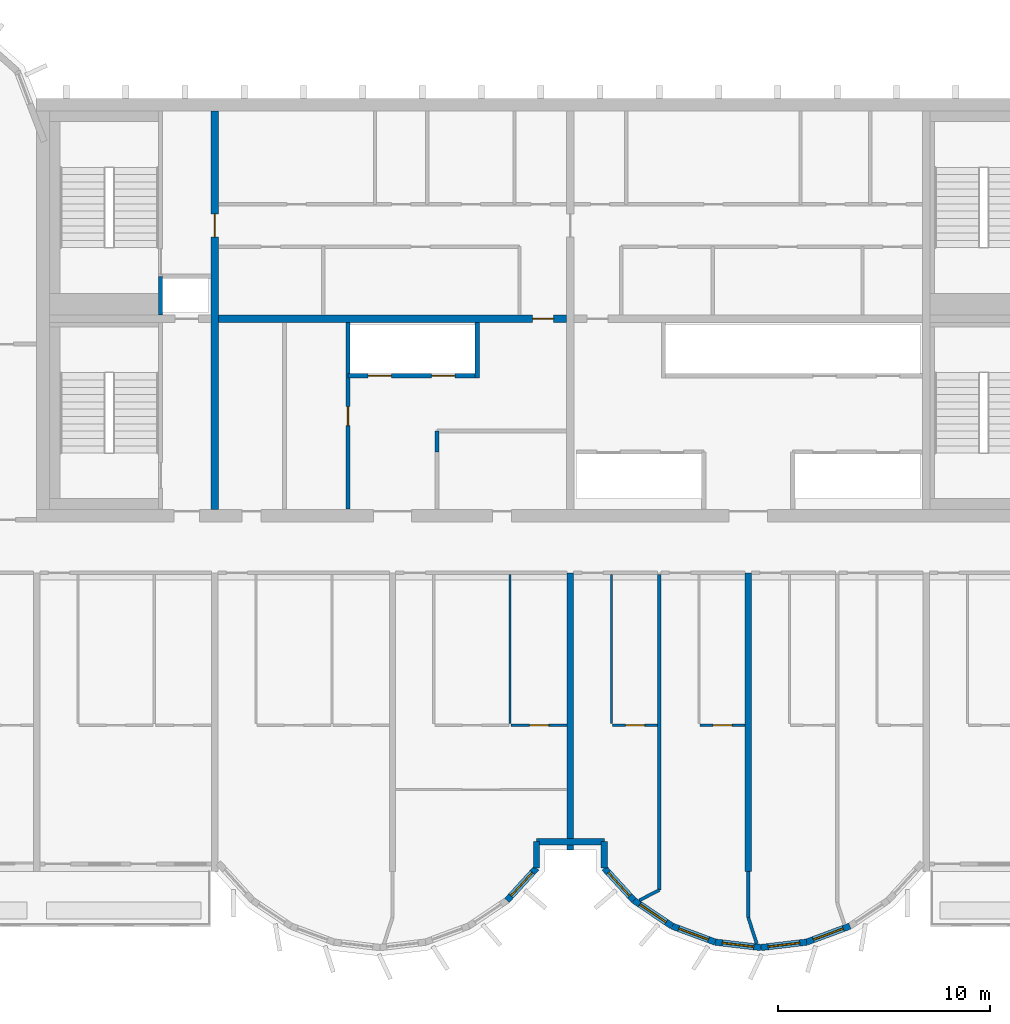
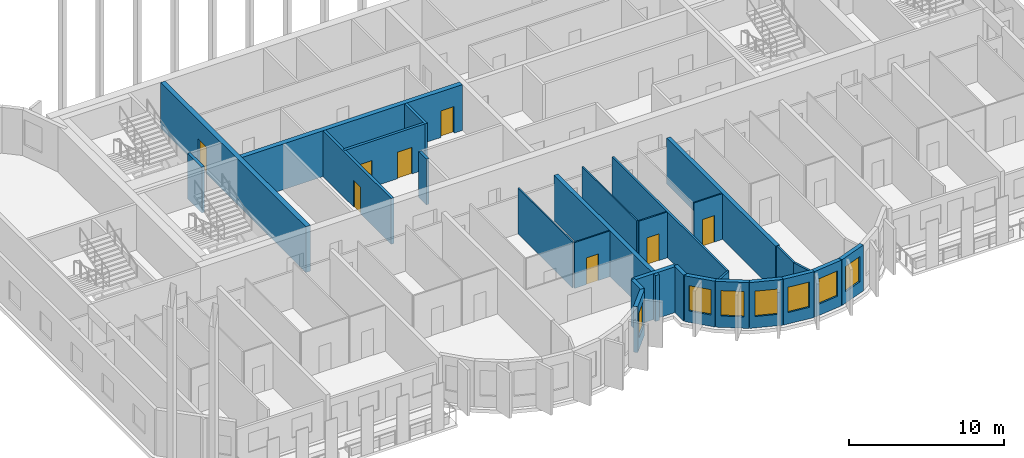
# One storey, part 4 of 13: 28 walls, 8 doors, 7 windows, 15 openings.
"""IFC4 building model written with IfcOpenShell, lengths in metres."""

from ifc_helpers import new_model, si_unit, direction, frame, frame_2d, origin, place, context, subcontext, project, spatial, rectangle, extrude, source, transform, mapped, material, layer, layer_set, type_object, element, fill, save


model = new_model("IFC4")

# Units and contexts
model_context = context("Model", 3, precision=1e-05, world=origin(), true_north=direction((0.0, 1.0)))
body_context = subcontext(model_context, "Body", "Model", "MODEL_VIEW")
ifc_project = project(units=[si_unit("LENGTHUNIT", "METRE"), si_unit("AREAUNIT", "SQUARE_METRE"), si_unit("VOLUMEUNIT", "CUBIC_METRE"), si_unit("PLANEANGLEUNIT", "RADIAN"), si_unit("MASSUNIT", "GRAM", prefix="KILO")], contexts=[model_context])

# Site, building, storey
site_placement = place(None, origin())
site = spatial("IfcSite", under=ifc_project, at=site_placement, CompositionType="ELEMENT")
building_placement = place(site_placement, origin())
building = spatial("IfcBuilding", under=site, at=building_placement, Name="Vanashikhar Sky Hotel", CompositionType="ELEMENT")
storey_placement = place(building_placement, frame((0.0, 0.0, 214.0)))
storey = spatial("IfcBuildingStorey", under=building, at=storey_placement, Name="L51", CompositionType="ELEMENT", Elevation=214.0)

# Wall, opening, door
ifc_material_1 = material(Name="Concrete M60", Category="concrete")
ifc_layer_1 = layer(ifc_material_1, 0.35009765625)
ifc_layer_set_1 = layer_set([ifc_layer_1], Name="RC core inner wall 350 Concrete M60")
wall_type_1 = type_object("IfcWallType", Name="RC core inner wall 350 Concrete M60", PredefinedType="SHEAR", material=ifc_layer_set_1)
shared_shape_1 = source(origin(), body_context, "Body", "SweptSolid", [
    extrude(rectangle(XDim=18.7998046875, YDim=0.35009765625, at=frame_2d((9.39990234375, 0.0))), origin(), (0.0, 0.0, 1.0), 3.6201171875),
])
wall_1_placement = place(storey_placement, frame((33.60009765625, 22.60009765625, 0.0), z_axis=(0.0, 0.0, 1.0), x_axis=(0.0, 1.0, 0.0)))
wall_1 = element("IfcWall", 1, at=wall_1_placement, inside=storey, type_object=wall_type_1, Name="KW-L51-KX1", PredefinedType="SHEAR", context=body_context, shape_type="MappedRepresentation", body=[
    mapped(shared_shape_1, transform((0.0, 0.0, 0.0), scale=1.0)),
])
shared_shape_2 = source(origin(), body_context, "Body", "SweptSolid", [
    extrude(rectangle(XDim=1.10009765625, YDim=2.10009765625, at=frame_2d((0.550048828125, 1.050048828125))), frame((0.0, 0.18505859375, 0.0), z_axis=(0.0, -1.0, 0.0), x_axis=(1.0, 0.0, 0.0)), (0.0, 0.0, 1.0), 0.3701171875),
])
opening_1_placement = place(wall_1_placement, frame((12.85009765625, 0.0, 0.0)))
opening_1 = element("IfcOpeningElement", 2, at=opening_1_placement, cuts=wall_1, Name="Opening DC-4-C", PredefinedType="OPENING", context=body_context, shape_type="MappedRepresentation", body=[
    mapped(shared_shape_2, transform((0.0, 0.0, 0.0), scale=1.0)),
])
ifc_material_2 = material(Name="Steel", Category="steel")
door_type_1 = type_object("IfcDoorType", Name="Service door 1100 FD60", OperationType="NOTDEFINED", PredefinedType="DOOR", material=ifc_material_2)
shared_shape_3 = source(origin(), body_context, "Body", "SweptSolid", [
    extrude(rectangle(XDim=1.10009765625, YDim=2.10009765625, at=frame_2d((0.550048828125, 1.050048828125))), frame((0.0, 0.02490234375, 0.0), z_axis=(0.0, -1.0, 0.0), x_axis=(1.0, 0.0, 0.0)), (0.0, 0.0, 1.0), 0.050048828125),
])
door_1_placement = place(opening_1_placement, origin())
door_1 = element("IfcDoor", 3, at=door_1_placement, inside=storey, type_object=door_type_1, Name="Service door 1100 FD60", OperationType="SINGLE_SWING_RIGHT", OverallHeight=2.10009765625, OverallWidth=1.10009765625, PredefinedType="DOOR", context=body_context, shape_type="MappedRepresentation", body=[
    mapped(shared_shape_3, transform((0.0, 0.0, 0.0), scale=1.0)),
])
fill(opening_1, door_1)

shared_shape_4 = source(origin(), body_context, "Body", "SweptSolid", [
    extrude(rectangle(XDim=16.4501953125, YDim=0.35009765625, at=frame_2d((8.22509765625, 0.0))), origin(), (0.0, 0.0, 1.0), 3.6201171875),
])
wall_2_placement = place(storey_placement, frame((33.77490234375, 31.60009765625, 0.0), z_axis=(0.0, 0.0, 1.0), x_axis=(1.0, 0.0, 0.0)))
wall_2 = element("IfcWall", 4, at=wall_2_placement, inside=storey, type_object=wall_type_1, Name="KW-L51-KY2", PredefinedType="SHEAR", context=body_context, shape_type="MappedRepresentation", body=[
    mapped(shared_shape_4, transform((0.0, 0.0, 0.0), scale=1.0)),
])
shared_shape_5 = source(origin(), body_context, "Body", "SweptSolid", [
    extrude(rectangle(XDim=1.0, YDim=2.10009765625, at=frame_2d((0.5, 1.050048828125))), frame((0.0, 0.18505859375, 0.0), z_axis=(0.0, -1.0, 0.0), x_axis=(1.0, 0.0, 0.0)), (0.0, 0.0, 1.0), 0.3701171875),
])
opening_2_placement = place(wall_2_placement, frame((14.8369140625, 0.0, 0.0)))
opening_2 = element("IfcOpeningElement", 5, at=opening_2_placement, cuts=wall_2, Name="Opening DC-4", PredefinedType="OPENING", context=body_context, shape_type="MappedRepresentation", body=[
    mapped(shared_shape_5, transform((0.0, 0.0, 0.0), scale=1.0)),
])
door_type_2 = type_object("IfcDoorType", Name="Service door 1000 FD60", OperationType="NOTDEFINED", PredefinedType="DOOR", material=ifc_material_2)
shared_shape_6 = source(origin(), body_context, "Body", "SweptSolid", [
    extrude(rectangle(XDim=1.0, YDim=2.10009765625, at=frame_2d((0.5, 1.050048828125))), frame((0.0, 0.02490234375, 0.0), z_axis=(0.0, -1.0, 0.0), x_axis=(1.0, 0.0, 0.0)), (0.0, 0.0, 1.0), 0.050048828125),
])
door_2_placement = place(opening_2_placement, origin())
door_2 = element("IfcDoor", 6, at=door_2_placement, inside=storey, type_object=door_type_2, Name="Service door 1000 FD60", OperationType="SINGLE_SWING_LEFT", OverallHeight=2.10009765625, OverallWidth=1.0, PredefinedType="DOOR", context=body_context, shape_type="MappedRepresentation", body=[
    mapped(shared_shape_6, transform((0.0, 0.0, 0.0), scale=1.0)),
])
fill(opening_2, door_2)

# Walls
ifc_layer_2 = layer(ifc_material_1, 0.300048828125)
ifc_layer_set_2 = layer_set([ifc_layer_2], Name="RC shear wall 300 Concrete M60")
wall_type_2 = type_object("IfcWallType", Name="RC shear wall 300 Concrete M60", PredefinedType="SHEAR", material=ifc_layer_set_2)
shared_shape_7 = source(origin(), body_context, "Body", "SweptSolid", [
    extrude(rectangle(XDim=14.10009765625, YDim=0.300048828125, at=frame_2d((7.050048828125, 0.0))), origin(), (0.0, 0.0, 1.0), 3.6201171875),
])
wall_3_placement = place(storey_placement, frame((58.800048828125, 5.5, 0.0), z_axis=(0.0, 0.0, 1.0), x_axis=(0.0, 1.0, 0.0)))
element("IfcWall", 7, at=wall_3_placement, inside=storey, type_object=wall_type_2, Name="CW-L51-XW08-1", PredefinedType="SHEAR", context=body_context, shape_type="MappedRepresentation", body=[
    mapped(shared_shape_7, transform((0.0, 0.0, 0.0), scale=1.0)),
])
shared_shape_8 = source(origin(), body_context, "Body", "SweptSolid", [
    extrude(rectangle(XDim=13.10009765625, YDim=0.300048828125, at=frame_2d((6.550048828125, 0.0))), origin(), (0.0, 0.0, 1.0), 3.6201171875),
])
wall_4_placement = place(storey_placement, frame((50.39990234375, 6.5, 0.0), z_axis=(0.0, 0.0, 1.0), x_axis=(0.0, 1.0, 0.0)))
element("IfcWall", 8, at=wall_4_placement, inside=storey, type_object=wall_type_2, Name="CW-L51-XW07-1", PredefinedType="SHEAR", context=body_context, shape_type="MappedRepresentation", body=[
    mapped(shared_shape_8, transform((0.0, 0.0, 0.0), scale=1.0)),
])

# Wall, opening, window
ifc_material_3 = material(Name="Concrete M50", Category="concrete")
ifc_layer_3 = layer(ifc_material_3, 0.300048828125)
ifc_layer_set_3 = layer_set([ifc_layer_3], Name="Lobe wall 300")
wall_type_3 = type_object("IfcWallType", Name="Lobe wall 300", PredefinedType="SOLIDWALL", material=ifc_layer_set_3)
shared_shape_9 = source(origin(), body_context, "Body", "SweptSolid", [
    extrude(rectangle(XDim=2.17578125, YDim=0.300048828125, at=frame_2d((1.087890625, 0.0))), origin(), (0.0, 0.0, 1.0), 3.6201171875),
])
wall_5_placement = place(storey_placement, frame((53.395751953125, 4.13134765625, 0.0), z_axis=(0.0, 0.0, 1.0), x_axis=(0.829590746428, -0.558371913192, 0.0)))
wall_5 = element("IfcWall", 9, at=wall_5_placement, inside=storey, type_object=wall_type_3, Name="Lobe wall", PredefinedType="SOLIDWALL", context=body_context, shape_type="MappedRepresentation", body=[
    mapped(shared_shape_9, transform((0.0, 0.0, 0.0), scale=1.0)),
])
shared_shape_10 = source(origin(), body_context, "Body", "SweptSolid", [
    extrude(rectangle(XDim=1.5, YDim=2.0, at=frame_2d((0.75, 1.0))), frame((0.0, 0.16015625, 0.0), z_axis=(0.0, -1.0, 0.0), x_axis=(1.0, 0.0, 0.0)), (0.0, 0.0, 1.0), 0.320068359375),
])
opening_3_placement = place(wall_5_placement, frame((0.337890625, 0.0, 0.89990234375)))
opening_3 = element("IfcOpeningElement", 10, at=opening_3_placement, cuts=wall_5, Name="Opening WN-2", PredefinedType="OPENING", context=body_context, shape_type="MappedRepresentation", body=[
    mapped(shared_shape_10, transform((0.0, 0.0, 0.0), scale=1.0)),
])
ifc_material_4 = material(Name="Glass", Category="glass")
window_type = type_object("IfcWindowType", Name="Lobe window 1500 x 2000", PartitioningType="SINGLE_PANEL", PredefinedType="WINDOW", material=ifc_material_4)
shared_shape_11 = source(origin(), body_context, "Body", "SweptSolid", [
    extrude(rectangle(XDim=1.5, YDim=2.0, at=frame_2d((0.75, 1.0))), frame((0.0, 0.030029296875, 0.0), z_axis=(0.0, -1.0, 0.0), x_axis=(1.0, 0.0, 0.0)), (0.0, 0.0, 1.0), 0.06005859375),
])
window_1_placement = place(opening_3_placement, origin())
window_1 = element("IfcWindow", 11, at=window_1_placement, inside=storey, type_object=window_type, Name="Window WN-2", OverallHeight=2.0, OverallWidth=1.5, PartitioningType="SINGLE_PANEL", PredefinedType="WINDOW", context=body_context, shape_type="MappedRepresentation", body=[
    mapped(shared_shape_11, transform((0.0, 0.0, 0.0), scale=1.0)),
])
fill(opening_3, window_1)

wall_6_placement = place(storey_placement, frame((55.20068359375, 2.91650390625, 0.0), z_axis=(0.0, 0.0, 1.0), x_axis=(0.93754555999, -0.347862505801, 0.0)))
wall_6 = element("IfcWall", 12, at=wall_6_placement, inside=storey, type_object=wall_type_3, Name="Lobe wall", PredefinedType="SOLIDWALL", context=body_context, shape_type="MappedRepresentation", body=[
    mapped(shared_shape_9, transform((0.0, 0.0, 0.0), scale=1.0)),
])
opening_4_placement = place(wall_6_placement, frame((0.337890625, 0.0, 0.89990234375)))
opening_4 = element("IfcOpeningElement", 13, at=opening_4_placement, cuts=wall_6, Name="Opening WN-2", PredefinedType="OPENING", context=body_context, shape_type="MappedRepresentation", body=[
    mapped(shared_shape_10, transform((0.0, 0.0, 0.0), scale=1.0)),
])
window_2_placement = place(opening_4_placement, origin())
window_2 = element("IfcWindow", 14, at=window_2_placement, inside=storey, type_object=window_type, Name="Window WN-2", OverallHeight=2.0, OverallWidth=1.5, PartitioningType="SINGLE_PANEL", PredefinedType="WINDOW", context=body_context, shape_type="MappedRepresentation", body=[
    mapped(shared_shape_11, transform((0.0, 0.0, 0.0), scale=1.0)),
])
fill(opening_4, window_2)

shared_shape_12 = source(origin(), body_context, "Body", "SweptSolid", [
    extrude(rectangle(XDim=2.174560546875, YDim=0.300048828125, at=frame_2d((1.08740234375, 0.0))), origin(), (0.0, 0.0, 1.0), 3.6201171875),
])
wall_7_placement = place(storey_placement, frame((57.240478515625, 2.15966796875, 0.0), z_axis=(0.0, 0.0, 1.0), x_axis=(0.993001132889, -0.118104826659, 0.0)))
wall_7 = element("IfcWall", 15, at=wall_7_placement, inside=storey, type_object=wall_type_3, Name="Lobe wall", PredefinedType="SOLIDWALL", context=body_context, shape_type="MappedRepresentation", body=[
    mapped(shared_shape_12, transform((0.0, 0.0, 0.0), scale=1.0)),
])
opening_5_placement = place(wall_7_placement, frame((0.33740234375, 0.0, 0.89990234375)))
opening_5 = element("IfcOpeningElement", 16, at=opening_5_placement, cuts=wall_7, Name="Opening WN-2", PredefinedType="OPENING", context=body_context, shape_type="MappedRepresentation", body=[
    mapped(shared_shape_10, transform((0.0, 0.0, 0.0), scale=1.0)),
])
window_3_placement = place(opening_5_placement, origin())
window_3 = element("IfcWindow", 17, at=window_3_placement, inside=storey, type_object=window_type, Name="Window WN-2", OverallHeight=2.0, OverallWidth=1.5, PartitioningType="SINGLE_PANEL", PredefinedType="WINDOW", context=body_context, shape_type="MappedRepresentation", body=[
    mapped(shared_shape_11, transform((0.0, 0.0, 0.0), scale=1.0)),
])
fill(opening_5, window_3)

shared_shape_13 = source(origin(), body_context, "Body", "SweptSolid", [
    extrude(rectangle(XDim=2.1748046875, YDim=0.300048828125, at=frame_2d((1.08740234375, 0.0))), origin(), (0.0, 0.0, 1.0), 3.6201171875),
])
wall_8_placement = place(storey_placement, frame((59.39990234375, 1.90283203125, 0.0), z_axis=(0.0, 0.0, 1.0), x_axis=(0.993002698611, 0.118091661648, 0.0)))
wall_8 = element("IfcWall", 18, at=wall_8_placement, inside=storey, type_object=wall_type_3, Name="Lobe wall", PredefinedType="SOLIDWALL", context=body_context, shape_type="MappedRepresentation", body=[
    mapped(shared_shape_13, transform((0.0, 0.0, 0.0), scale=1.0)),
])
opening_6_placement = place(wall_8_placement, frame((0.33740234375, 0.0, 0.89990234375)))
opening_6 = element("IfcOpeningElement", 19, at=opening_6_placement, cuts=wall_8, Name="Opening WN-2", PredefinedType="OPENING", context=body_context, shape_type="MappedRepresentation", body=[
    mapped(shared_shape_10, transform((0.0, 0.0, 0.0), scale=1.0)),
])
window_4_placement = place(opening_6_placement, origin())
window_4 = element("IfcWindow", 20, at=window_4_placement, inside=storey, type_object=window_type, Name="Window WN-2", OverallHeight=2.0, OverallWidth=1.5, PartitioningType="SINGLE_PANEL", PredefinedType="WINDOW", context=body_context, shape_type="MappedRepresentation", body=[
    mapped(shared_shape_11, transform((0.0, 0.0, 0.0), scale=1.0)),
])
fill(opening_6, window_4)

shared_shape_14 = source(origin(), body_context, "Body", "SweptSolid", [
    extrude(rectangle(XDim=2.175537109375, YDim=0.300048828125, at=frame_2d((1.087890625, 0.0))), origin(), (0.0, 0.0, 1.0), 3.6201171875),
])
wall_9_placement = place(storey_placement, frame((61.5595703125, 2.15966796875, 0.0), z_axis=(0.0, 0.0, 1.0), x_axis=(0.937531979054, 0.347899106424, 0.0)))
wall_9 = element("IfcWall", 21, at=wall_9_placement, inside=storey, type_object=wall_type_3, Name="Lobe wall", PredefinedType="SOLIDWALL", context=body_context, shape_type="MappedRepresentation", body=[
    mapped(shared_shape_14, transform((0.0, 0.0, 0.0), scale=1.0)),
])
opening_7_placement = place(wall_9_placement, frame((0.337890625, 0.0, 0.89990234375)))
opening_7 = element("IfcOpeningElement", 22, at=opening_7_placement, cuts=wall_9, Name="Opening WN-2", PredefinedType="OPENING", context=body_context, shape_type="MappedRepresentation", body=[
    mapped(shared_shape_10, transform((0.0, 0.0, 0.0), scale=1.0)),
])
window_5_placement = place(opening_7_placement, origin())
window_5 = element("IfcWindow", 23, at=window_5_placement, inside=storey, type_object=window_type, Name="Window WN-2", OverallHeight=2.0, OverallWidth=1.5, PartitioningType="SINGLE_PANEL", PredefinedType="WINDOW", context=body_context, shape_type="MappedRepresentation", body=[
    mapped(shared_shape_11, transform((0.0, 0.0, 0.0), scale=1.0)),
])
fill(opening_7, window_5)

shared_shape_15 = source(origin(), body_context, "Body", "SweptSolid", [
    extrude(rectangle(XDim=2.066650390625, YDim=0.300048828125, at=frame_2d((1.033203125, 0.0))), origin(), (0.0, 0.0, 1.0), 3.6201171875),
])
wall_10_placement = place(storey_placement, frame((47.404296875, 4.13134765625, 0.0), z_axis=(0.0, 0.0, 1.0), x_axis=(0.675355439877, 0.737492393065, 0.0)))
wall_10 = element("IfcWall", 24, at=wall_10_placement, inside=storey, type_object=wall_type_3, Name="Lobe wall", PredefinedType="SOLIDWALL", context=body_context, shape_type="MappedRepresentation", body=[
    mapped(shared_shape_15, transform((0.0, 0.0, 0.0), scale=1.0)),
])
opening_8_placement = place(wall_10_placement, frame((0.283447265625, 0.0, 0.89990234375)))
opening_8 = element("IfcOpeningElement", 25, at=opening_8_placement, cuts=wall_10, Name="Opening WN-2", PredefinedType="OPENING", context=body_context, shape_type="MappedRepresentation", body=[
    mapped(shared_shape_10, transform((0.0, 0.0, 0.0), scale=1.0)),
])
window_6_placement = place(opening_8_placement, origin())
window_6 = element("IfcWindow", 26, at=window_6_placement, inside=storey, type_object=window_type, Name="Window WN-2", OverallHeight=2.0, OverallWidth=1.5, PartitioningType="SINGLE_PANEL", PredefinedType="WINDOW", context=body_context, shape_type="MappedRepresentation", body=[
    mapped(shared_shape_11, transform((0.0, 0.0, 0.0), scale=1.0)),
])
fill(opening_8, window_6)

wall_11_placement = place(storey_placement, frame((52.0, 5.655517578125, 0.0), z_axis=(0.0, 0.0, 1.0), x_axis=(0.675355439877, -0.737492393065, 0.0)))
wall_11 = element("IfcWall", 27, at=wall_11_placement, inside=storey, type_object=wall_type_3, Name="Lobe wall", PredefinedType="SOLIDWALL", context=body_context, shape_type="MappedRepresentation", body=[
    mapped(shared_shape_15, transform((0.0, 0.0, 0.0), scale=1.0)),
])
opening_9_placement = place(wall_11_placement, frame((0.283447265625, 0.0, 0.89990234375)))
opening_9 = element("IfcOpeningElement", 28, at=opening_9_placement, cuts=wall_11, Name="Opening WN-2", PredefinedType="OPENING", context=body_context, shape_type="MappedRepresentation", body=[
    mapped(shared_shape_10, transform((0.0, 0.0, 0.0), scale=1.0)),
])
window_7_placement = place(opening_9_placement, origin())
window_7 = element("IfcWindow", 29, at=window_7_placement, inside=storey, type_object=window_type, Name="Window WN-2", OverallHeight=2.0, OverallWidth=1.5, PartitioningType="SINGLE_PANEL", PredefinedType="WINDOW", context=body_context, shape_type="MappedRepresentation", body=[
    mapped(shared_shape_11, transform((0.0, 0.0, 0.0), scale=1.0)),
])
fill(opening_9, window_7)

# Walls
shared_shape_16 = source(origin(), body_context, "Body", "SweptSolid", [
    extrude(rectangle(XDim=1.244384765625, YDim=0.300048828125, at=frame_2d((0.6220703125, 0.0))), origin(), (0.0, 0.0, 1.0), 3.6201171875),
])
for number, where, z_axis, x_axis, name in (
    (30, (48.800048828125, 5.655517578125, 0.0), (0.0, 0.0, 1.0), (0.0, 1.0, 0.0), "Groove wall"),
    (31, (52.0, 6.89990234375, 0.0), (0.0, 0.0, 1.0), (0.0, -1.0, 0.0), "Groove wall"),
):
    element("IfcWall", number, at=place(storey_placement, frame(where, z_axis=z_axis, x_axis=x_axis)), inside=storey, type_object=wall_type_3, Name=name, PredefinedType="SOLIDWALL", context=body_context, shape_type="MappedRepresentation", body=[
        mapped(shared_shape_16, transform((0.0, 0.0, 0.0), scale=1.0)),
    ])
shared_shape_17 = source(origin(), body_context, "Body", "SweptSolid", [
    extrude(rectangle(XDim=3.199951171875, YDim=0.300048828125, at=frame_2d((1.60009765625, 0.0))), origin(), (0.0, 0.0, 1.0), 3.6201171875),
])
wall_12_placement = place(storey_placement, frame((48.800048828125, 6.89990234375, 0.0), z_axis=(0.0, 0.0, 1.0), x_axis=(1.0, 0.0, 0.0)))
element("IfcWall", 32, at=wall_12_placement, inside=storey, type_object=wall_type_3, Name="Groove wall", PredefinedType="SOLIDWALL", context=body_context, shape_type="MappedRepresentation", body=[
    mapped(shared_shape_17, transform((0.0, 0.0, 0.0), scale=1.0)),
])

# Wall, openings, doors
ifc_material_5 = material(Name="Concrete M40", Category="concrete")
ifc_layer_4 = layer(ifc_material_5, 0.199951171875)
ifc_layer_set_4 = layer_set([ifc_layer_4], Name="Shaft wall 200")
wall_type_4 = type_object("IfcWallType", Name="Shaft wall 200", PredefinedType="SOLIDWALL", material=ifc_layer_set_4)
shared_shape_18 = source(origin(), body_context, "Body", "SweptSolid", [
    extrude(rectangle(XDim=6.0, YDim=0.199951171875, at=frame_2d((3.0, 0.0))), origin(), (0.0, 0.0, 1.0), 3.6201171875),
])
wall_13_placement = place(storey_placement, frame((39.89990234375, 28.89990234375, 0.0), z_axis=(0.0, 0.0, 1.0), x_axis=(1.0, 0.0, 0.0)))
wall_13 = element("IfcWall", 33, at=wall_13_placement, inside=storey, type_object=wall_type_4, Name="Shaft wall 200", PredefinedType="SOLIDWALL", context=body_context, shape_type="MappedRepresentation", body=[
    mapped(shared_shape_18, transform((0.0, 0.0, 0.0), scale=1.0)),
])
shared_shape_19 = source(origin(), body_context, "Body", "SweptSolid", [
    extrude(rectangle(XDim=1.10009765625, YDim=2.10009765625, at=frame_2d((0.550048828125, 1.050048828125))), frame((0.0, 0.10986328125, 0.0), z_axis=(0.0, -1.0, 0.0), x_axis=(1.0, 0.0, 0.0)), (0.0, 0.0, 1.0), 0.219970703125),
])
opening_10_placement = place(wall_13_placement, frame((0.949951171875, 0.0, 0.0)))
opening_10 = element("IfcOpeningElement", 34, at=opening_10_placement, cuts=wall_13, Name="Opening LD", PredefinedType="OPENING", context=body_context, shape_type="MappedRepresentation", body=[
    mapped(shared_shape_19, transform((0.0, 0.0, 0.0), scale=1.0)),
])
opening_11_placement = place(wall_13_placement, frame((3.949951171875, 0.0, 0.0)))
opening_11 = element("IfcOpeningElement", 35, at=opening_11_placement, cuts=wall_13, Name="Opening LD", PredefinedType="OPENING", context=body_context, shape_type="MappedRepresentation", body=[
    mapped(shared_shape_19, transform((0.0, 0.0, 0.0), scale=1.0)),
])
ifc_material_6 = material(Name="Stainless steel", Category="steel")
door_type_3 = type_object("IfcDoorType", Name="Lift landing door 1100", OperationType="NOTDEFINED", PredefinedType="DOOR", material=ifc_material_6)
door_3_placement = place(opening_10_placement, origin())
door_3 = element("IfcDoor", 36, at=door_3_placement, inside=storey, type_object=door_type_3, Name="Lift landing door 1100", OperationType="SLIDING_TO_LEFT", OverallHeight=2.10009765625, OverallWidth=1.10009765625, PredefinedType="DOOR", context=body_context, shape_type="MappedRepresentation", body=[
    mapped(shared_shape_3, transform((0.0, 0.0, 0.0), scale=1.0)),
])
fill(opening_10, door_3)
door_4_placement = place(opening_11_placement, origin())
door_4 = element("IfcDoor", 37, at=door_4_placement, inside=storey, type_object=door_type_3, Name="Lift landing door 1100", OperationType="SLIDING_TO_RIGHT", OverallHeight=2.10009765625, OverallWidth=1.10009765625, PredefinedType="DOOR", context=body_context, shape_type="MappedRepresentation", body=[
    mapped(shared_shape_3, transform((0.0, 0.0, 0.0), scale=1.0)),
])
fill(opening_11, door_4)

# Wall, opening, door
ifc_material_7 = material(Name="Gypsum board partition")
ifc_layer_5 = layer(ifc_material_7, 0.14990234375)
ifc_layer_set_5 = layer_set([ifc_layer_5], Name="Service partition 150")
wall_type_5 = type_object("IfcWallType", Name="Service partition 150", PredefinedType="PARTITIONING", material=ifc_layer_set_5)
shared_shape_20 = source(origin(), body_context, "Body", "SweptSolid", [
    extrude(rectangle(XDim=8.824951171875, YDim=0.199951171875, at=frame_2d((4.41259765625, 0.0))), origin(), (0.0, 0.0, 1.0), 3.6201171875),
])
wall_14_placement = place(storey_placement, frame((39.89990234375, 22.60009765625, 0.0), z_axis=(0.0, 0.0, 1.0), x_axis=(0.0, 1.0, 0.0)))
wall_14 = element("IfcWall", 38, at=wall_14_placement, inside=storey, type_object=wall_type_5, Name="Service partition 150", PredefinedType="PARTITIONING", context=body_context, shape_type="MappedRepresentation", body=[
    mapped(shared_shape_20, transform((0.0, 0.0, 0.0), scale=1.0)),
])
shared_shape_21 = source(origin(), body_context, "Body", "SweptSolid", [
    extrude(rectangle(XDim=0.89990234375, YDim=2.10009765625, at=frame_2d((0.449951171875, 1.050048828125))), frame((0.0, 0.10986328125, 0.0), z_axis=(0.0, -1.0, 0.0), x_axis=(1.0, 0.0, 0.0)), (0.0, 0.0, 1.0), 0.219970703125),
])
opening_12_placement = place(wall_14_placement, frame((3.949951171875, 0.0, 0.0)))
opening_12 = element("IfcOpeningElement", 39, at=opening_12_placement, cuts=wall_14, Name="Opening DC-4-A", PredefinedType="OPENING", context=body_context, shape_type="MappedRepresentation", body=[
    mapped(shared_shape_21, transform((0.0, 0.0, 0.0), scale=1.0)),
])
door_type_4 = type_object("IfcDoorType", Name="Service door 900 FD60", OperationType="NOTDEFINED", PredefinedType="DOOR", material=ifc_material_2)
shared_shape_22 = source(origin(), body_context, "Body", "SweptSolid", [
    extrude(rectangle(XDim=0.89990234375, YDim=2.10009765625, at=frame_2d((0.449951171875, 1.050048828125))), frame((0.0, 0.02490234375, 0.0), z_axis=(0.0, -1.0, 0.0), x_axis=(1.0, 0.0, 0.0)), (0.0, 0.0, 1.0), 0.050048828125),
])
door_5_placement = place(opening_12_placement, origin())
door_5 = element("IfcDoor", 40, at=door_5_placement, inside=storey, type_object=door_type_4, Name="Service door 900 FD60", OperationType="SINGLE_SWING_LEFT", OverallHeight=2.10009765625, OverallWidth=0.89990234375, PredefinedType="DOOR", context=body_context, shape_type="MappedRepresentation", body=[
    mapped(shared_shape_22, transform((0.0, 0.0, 0.0), scale=1.0)),
])
fill(opening_12, door_5)

# Walls
shared_shape_23 = source(origin(), body_context, "Body", "SweptSolid", [
    extrude(rectangle(XDim=2.625, YDim=0.199951171875, at=frame_2d((1.3125, 0.0))), origin(), (0.0, 0.0, 1.0), 3.6201171875),
])
wall_15_placement = place(storey_placement, frame((46.0, 28.800048828125, 0.0), z_axis=(0.0, 0.0, 1.0), x_axis=(0.0, 1.0, 0.0)))
element("IfcWall", 41, at=wall_15_placement, inside=storey, type_object=wall_type_4, Name="Shaft wall 200", PredefinedType="SOLIDWALL", context=body_context, shape_type="MappedRepresentation", body=[
    mapped(shared_shape_23, transform((0.0, 0.0, 0.0), scale=1.0)),
])
shared_shape_24 = source(origin(), body_context, "Body", "SweptSolid", [
    extrude(rectangle(XDim=1.0, YDim=0.199951171875, at=frame_2d((0.5, 0.0))), origin(), (0.0, 0.0, 1.0), 3.6201171875),
])
wall_16_placement = place(storey_placement, frame((44.10009765625, 25.300048828125, 0.0), z_axis=(0.0, 0.0, 1.0), x_axis=(0.0, 1.0, 0.0)))
element("IfcWall", 42, at=wall_16_placement, inside=storey, type_object=wall_type_5, Name="Service partition 150", PredefinedType="PARTITIONING", context=body_context, shape_type="MappedRepresentation", body=[
    mapped(shared_shape_24, transform((0.0, 0.0, 0.0), scale=1.0)),
])
shared_shape_25 = source(origin(), body_context, "Body", "SweptSolid", [
    extrude(rectangle(XDim=1.8251953125, YDim=0.199951171875, at=frame_2d((0.91259765625, 0.0))), origin(), (0.0, 0.0, 1.0), 3.6201171875),
])
wall_17_placement = place(storey_placement, frame((31.050048828125, 31.77490234375, 0.0), z_axis=(0.0, 0.0, 1.0), x_axis=(0.0, 1.0, 0.0)))
element("IfcWall", 43, at=wall_17_placement, inside=storey, type_object=wall_type_4, Name="Shaft wall 200", PredefinedType="SOLIDWALL", context=body_context, shape_type="MappedRepresentation", body=[
    mapped(shared_shape_25, transform((0.0, 0.0, 0.0), scale=1.0)),
])
ifc_material_8 = material(Name="Gypsum plasterboard partition")
ifc_layer_6 = layer(ifc_material_8, 0.10009765625)
ifc_layer_set_6 = layer_set([ifc_layer_6], Name="Wet room partition 100")
wall_type_6 = type_object("IfcWallType", Name="Wet room partition 100", PredefinedType="PARTITIONING", material=ifc_layer_set_6)
shared_shape_26 = source(origin(), body_context, "Body", "SweptSolid", [
    extrude(rectangle(XDim=7.0498046875, YDim=0.10009765625, at=frame_2d((3.52490234375, 0.0))), origin(), (0.0, 0.0, 1.0), 3.6201171875),
])
for number, where, z_axis, x_axis, name in (
    (44, (47.550048828125, 12.47509765625, 0.0), (0.0, 0.0, 1.0), (0.0, 1.0, 0.0), "W-L51-PW019"),
    (45, (52.35009765625, 12.47509765625, 0.0), (0.0, 0.0, 1.0), (0.0, 1.0, 0.0), "W-L51-PW024"),
):
    element("IfcWall", number, at=place(storey_placement, frame(where, z_axis=z_axis, x_axis=x_axis)), inside=storey, type_object=wall_type_6, Name=name, PredefinedType="PARTITIONING", context=body_context, shape_type="MappedRepresentation", body=[
        mapped(shared_shape_26, transform((0.0, 0.0, 0.0), scale=1.0)),
    ])

# Wall, opening, door
shared_shape_27 = source(origin(), body_context, "Body", "SweptSolid", [
    extrude(rectangle(XDim=2.125, YDim=0.10009765625, at=frame_2d((1.0625, 0.0))), origin(), (0.0, 0.0, 1.0), 3.6201171875),
])
wall_18_placement = place(storey_placement, frame((52.39990234375, 12.39990234375, 0.0), z_axis=(0.0, 0.0, 1.0), x_axis=(1.0, 0.0, 0.0)))
wall_18 = element("IfcWall", 46, at=wall_18_placement, inside=storey, type_object=wall_type_6, Name="W-L51-PW025", PredefinedType="PARTITIONING", context=body_context, shape_type="MappedRepresentation", body=[
    mapped(shared_shape_27, transform((0.0, 0.0, 0.0), scale=1.0)),
])
shared_shape_28 = source(origin(), body_context, "Body", "SweptSolid", [
    extrude(rectangle(XDim=0.89990234375, YDim=2.10009765625, at=frame_2d((0.449951171875, 1.050048828125))), frame((0.0, 0.06005859375, 0.0), z_axis=(0.0, -1.0, 0.0), x_axis=(1.0, 0.0, 0.0)), (0.0, 0.0, 1.0), 0.1201171875),
])
opening_13_placement = place(wall_18_placement, frame((0.612060546875, 0.0, 0.0)))
opening_13 = element("IfcOpeningElement", 47, at=opening_13_placement, cuts=wall_18, Name="Opening D-02", PredefinedType="OPENING", context=body_context, shape_type="MappedRepresentation", body=[
    mapped(shared_shape_28, transform((0.0, 0.0, 0.0), scale=1.0)),
])
ifc_material_9 = material(Name="Timber door", Category="wood")
door_type_5 = type_object("IfcDoorType", Name="Internal door 900", OperationType="NOTDEFINED", PredefinedType="DOOR", material=ifc_material_9)
door_6_placement = place(opening_13_placement, origin())
door_6 = element("IfcDoor", 48, at=door_6_placement, inside=storey, type_object=door_type_5, Name="D-L51-015", OperationType="SINGLE_SWING_LEFT", OverallHeight=2.10009765625, OverallWidth=0.89990234375, PredefinedType="DOOR", context=body_context, shape_type="MappedRepresentation", body=[
    mapped(shared_shape_22, transform((0.0, 0.0, 0.0), scale=1.0)),
])
fill(opening_13, door_6)

wall_19_placement = place(storey_placement, frame((56.52490234375, 12.39990234375, 0.0), z_axis=(0.0, 0.0, 1.0), x_axis=(1.0, 0.0, 0.0)))
wall_19 = element("IfcWall", 49, at=wall_19_placement, inside=storey, type_object=wall_type_6, Name="W-L51-PW028", PredefinedType="PARTITIONING", context=body_context, shape_type="MappedRepresentation", body=[
    mapped(shared_shape_27, transform((0.0, 0.0, 0.0), scale=1.0)),
])
opening_14_placement = place(wall_19_placement, frame((0.612060546875, 0.0, 0.0)))
opening_14 = element("IfcOpeningElement", 50, at=opening_14_placement, cuts=wall_19, Name="Opening D-02", PredefinedType="OPENING", context=body_context, shape_type="MappedRepresentation", body=[
    mapped(shared_shape_28, transform((0.0, 0.0, 0.0), scale=1.0)),
])
door_7_placement = place(opening_14_placement, origin())
door_7 = element("IfcDoor", 51, at=door_7_placement, inside=storey, type_object=door_type_5, Name="D-L51-017", OperationType="SINGLE_SWING_LEFT", OverallHeight=2.10009765625, OverallWidth=0.89990234375, PredefinedType="DOOR", context=body_context, shape_type="MappedRepresentation", body=[
    mapped(shared_shape_22, transform((0.0, 0.0, 0.0), scale=1.0)),
])
fill(opening_14, door_7)

shared_shape_29 = source(origin(), body_context, "Body", "SweptSolid", [
    extrude(rectangle(XDim=2.64990234375, YDim=0.10009765625, at=frame_2d((1.324951171875, 0.0))), origin(), (0.0, 0.0, 1.0), 3.6201171875),
])
wall_20_placement = place(storey_placement, frame((47.60009765625, 12.39990234375, 0.0), z_axis=(0.0, 0.0, 1.0), x_axis=(1.0, 0.0, 0.0)))
wall_20 = element("IfcWall", 52, at=wall_20_placement, inside=storey, type_object=wall_type_6, Name="W-L51-PW021", PredefinedType="PARTITIONING", context=body_context, shape_type="MappedRepresentation", body=[
    mapped(shared_shape_29, transform((0.0, 0.0, 0.0), scale=1.0)),
])
opening_15_placement = place(wall_20_placement, frame((0.875, 0.0, 0.0)))
opening_15 = element("IfcOpeningElement", 53, at=opening_15_placement, cuts=wall_20, Name="Opening D-02", PredefinedType="OPENING", context=body_context, shape_type="MappedRepresentation", body=[
    mapped(shared_shape_28, transform((0.0, 0.0, 0.0), scale=1.0)),
])
door_8_placement = place(opening_15_placement, origin())
door_8 = element("IfcDoor", 54, at=door_8_placement, inside=storey, type_object=door_type_5, Name="D-L51-012", OperationType="SINGLE_SWING_LEFT", OverallHeight=2.10009765625, OverallWidth=0.89990234375, PredefinedType="DOOR", context=body_context, shape_type="MappedRepresentation", body=[
    mapped(shared_shape_22, transform((0.0, 0.0, 0.0), scale=1.0)),
])
fill(opening_15, door_8)

# Walls
ifc_layer_7 = layer(ifc_material_8, 0.14990234375)
ifc_layer_set_7 = layer_set([ifc_layer_7], Name="Corridor and demising partition 150")
wall_type_7 = type_object("IfcWallType", Name="Corridor and demising partition 150", PredefinedType="PARTITIONING", material=ifc_layer_set_7)
shared_shape_30 = source(origin(), body_context, "Body", "SweptSolid", [
    extrude(rectangle(XDim=14.906005859375, YDim=0.14990234375, at=frame_2d((7.453125, 0.0))), origin(), (0.0, 0.0, 1.0), 3.6201171875),
])
wall_21_placement = place(storey_placement, frame((54.60009765625, 4.618896484375, 0.0), z_axis=(0.0, 0.0, 1.0), x_axis=(0.0, 1.0, 0.0)))
element("IfcWall", 55, at=wall_21_placement, inside=storey, type_object=wall_type_7, Name="W-L51-PW030", PredefinedType="PARTITIONING", context=body_context, shape_type="MappedRepresentation", body=[
    mapped(shared_shape_30, transform((0.0, 0.0, 0.0), scale=1.0)),
])
shared_shape_31 = source(origin(), body_context, "Body", "SweptSolid", [
    extrude(rectangle(XDim=2.177978515625, YDim=0.14990234375, at=frame_2d((1.0888671875, 0.0))), origin(), (0.0, 0.0, 1.0), 3.6201171875),
])
wall_22_placement = place(storey_placement, frame((58.800048828125, 3.322021484375, 0.0), z_axis=(0.0, 0.0, 1.0), x_axis=(0.0, 1.0, 0.0)))
element("IfcWall", 56, at=wall_22_placement, inside=storey, type_object=wall_type_7, Name="W-L51-PW051", PredefinedType="PARTITIONING", context=body_context, shape_type="MappedRepresentation", body=[
    mapped(shared_shape_31, transform((0.0, 0.0, 0.0), scale=1.0)),
])
shared_shape_32 = source(origin(), body_context, "Body", "SweptSolid", [
    extrude(rectangle(XDim=1.057861328125, YDim=0.14990234375, at=frame_2d((0.52880859375, 0.0))), origin(), (0.0, 0.0, 1.0), 3.6201171875),
])
wall_23_placement = place(storey_placement, frame((53.659912109375, 4.134033203125, 0.0), z_axis=(0.0, 0.0, 1.0), x_axis=(0.888772319209, 0.458348955063, 0.0)))
element("IfcWall", 57, at=wall_23_placement, inside=storey, type_object=wall_type_7, Name="W-L51-PW030B0", PredefinedType="PARTITIONING", context=body_context, shape_type="MappedRepresentation", body=[
    mapped(shared_shape_32, transform((0.0, 0.0, 0.0), scale=1.0)),
])
shared_shape_33 = source(origin(), body_context, "Body", "SweptSolid", [
    extrude(rectangle(XDim=1.308349609375, YDim=0.14990234375, at=frame_2d((0.654296875, 0.0))), origin(), (0.0, 0.0, 1.0), 3.6201171875),
])
wall_24_placement = place(storey_placement, frame((59.201904296875, 2.076904296875, 0.0), z_axis=(0.0, 0.0, 1.0), x_axis=(-0.307144529633, 0.951662880392, 0.0)))
element("IfcWall", 58, at=wall_24_placement, inside=storey, type_object=wall_type_7, Name="W-L51-PW051B0", PredefinedType="PARTITIONING", context=body_context, shape_type="MappedRepresentation", body=[
    mapped(shared_shape_33, transform((0.0, 0.0, 0.0), scale=1.0)),
])

save(model, "model.ifc")
